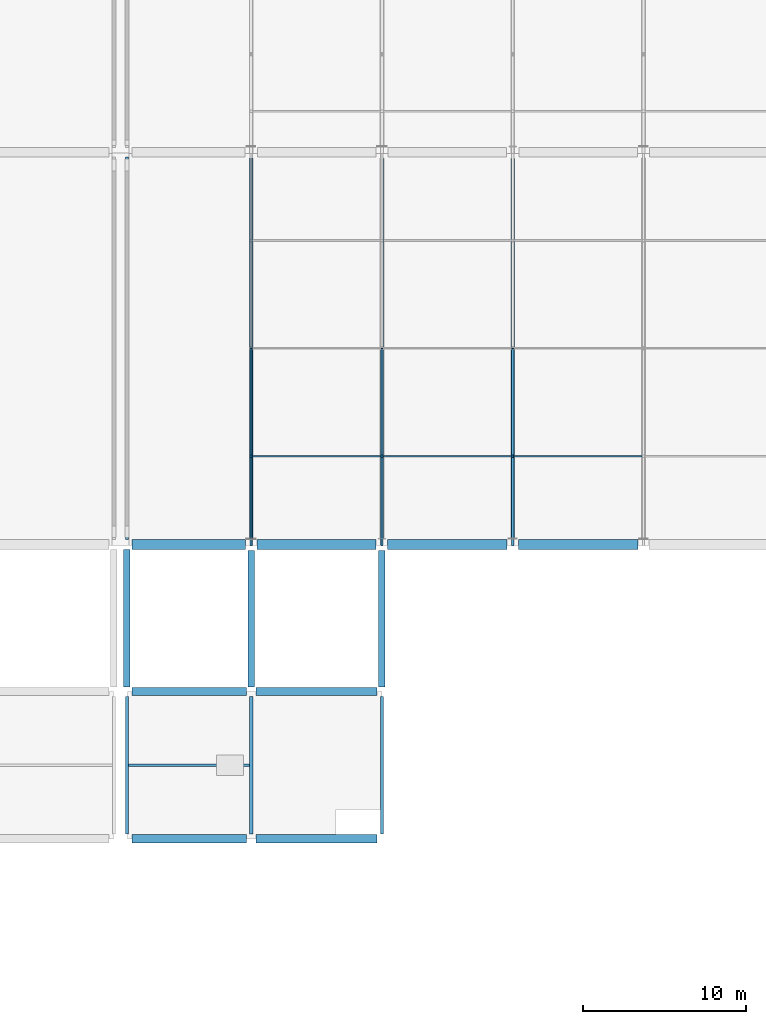
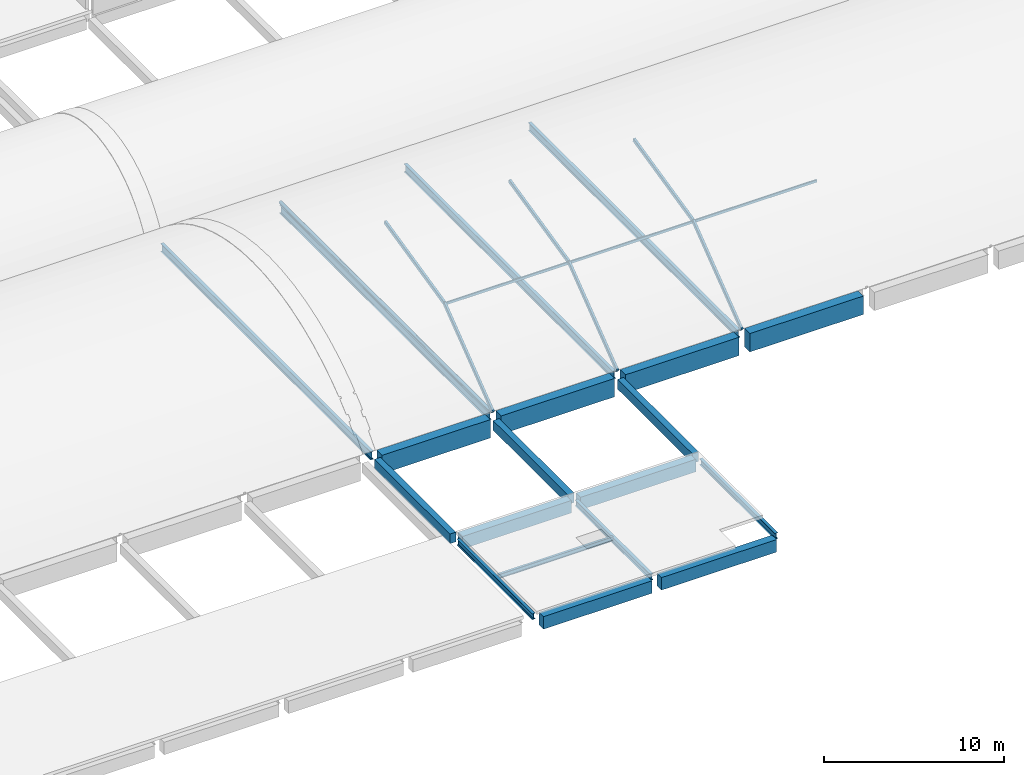
# One storey, part 27 of 57: 19 beams, 10 members.
"""IFC4 building model written with IfcOpenShell, lengths in metres."""

from ifc_helpers import new_model, si_unit, direction, frame, origin, origin_2d, place, context, subcontext, project, spatial, rectangle, hollow_rectangle, hollow_circle, i_section, extrude, material, material_profile, profile_set, type_object, element, save


model = new_model("IFC4")

# Units and contexts
model_context = context("Model", 3, precision=1e-05, world=origin(), true_north=direction((0.0, 1.0)))
body_context = subcontext(model_context, "Body", "Model", "MODEL_VIEW")
ifc_project = project(units=[si_unit("LENGTHUNIT", "METRE"), si_unit("AREAUNIT", "SQUARE_METRE"), si_unit("VOLUMEUNIT", "CUBIC_METRE"), si_unit("PLANEANGLEUNIT", "RADIAN"), si_unit("MASSUNIT", "GRAM", prefix="KILO"), si_unit("THERMODYNAMICTEMPERATUREUNIT", "KELVIN"), si_unit("POWERUNIT", "WATT")], contexts=[model_context])

# Site, building, storey
site_placement = place(None, origin())
site = spatial("IfcSite", under=ifc_project, at=site_placement, CompositionType="ELEMENT")
building_placement = place(site_placement, origin())
building = spatial("IfcBuilding", under=site, at=building_placement, Name="Kronsvod Quay Wholesale Market", CompositionType="ELEMENT")
storey_placement = place(building_placement, frame((0.0, 0.0, 13.199951171875)))
storey = spatial("IfcBuildingStorey", under=building, at=storey_placement, Name="L03", CompositionType="ELEMENT", Elevation=13.199951171875)

# Beams
ifc_material_1 = material(Name="Precast concrete C40/50", Category="concrete")
ifc_material_profile_1 = material_profile(ifc_material_1, rectangle(XDim=0.39990234375, YDim=0.64990234375, at=origin_2d()), Name="PCB400x650")
ifc_profile_set_1 = profile_set([ifc_material_profile_1], Name="Precast concrete C40/50")
beam_type_1 = type_object("IfcBeamType", Name="Beam_PCB400x650", PredefinedType="BEAM", material=ifc_profile_set_1)
beam_1_placement = place(storey_placement, frame((128.39990234375, 45.300048828125, -0.635009765625), z_axis=(0.0, 1.0, 0.0), x_axis=(-1.0, 0.0, 0.0)))
element("IfcBeam", 1, at=beam_1_placement, inside=storey, type_object=beam_type_1, Name="BMY-L03-1284-450", PredefinedType="BEAM", context=body_context, shape_type="SweptSolid", body=[
    extrude(rectangle(XDim=0.39990234375, YDim=0.64990234375, at=origin_2d()), origin(), (0.0, 0.0, 1.0), 8.39990234375),
])
for number, where, z_axis, x_axis, name in (
    (2, (136.0, 45.300048828125, -0.635009765625), (0.0, 1.0, 0.0), (-1.0, 0.0, 0.0), "BMY-L03-1360-450"),
    (3, (144.0, 45.300048828125, -0.635009765625), (0.0, 1.0, 0.0), (-1.0, 0.0, 0.0), "BMY-L03-1440-450"),
):
    element("IfcBeam", number, at=place(storey_placement, frame(where, z_axis=z_axis, x_axis=x_axis)), inside=storey, type_object=beam_type_1, Name=name, PredefinedType="BEAM", context=body_context, shape_type="SweptSolid", body=[
        extrude(rectangle(XDim=0.39990234375, YDim=0.64990234375, at=origin_2d()), origin(), (0.0, 0.0, 1.0), 8.349853515625),
    ])
ifc_material_2 = material(Name="Steel S355", Category="steel")
ifc_material_profile_2 = material_profile(ifc_material_2, i_section(OverallWidth=0.199951171875, OverallDepth=0.39990234375, WebThickness=0.008056640625, FlangeThickness=0.012939453125, FilletRadius=0.01611328125, at=origin_2d()), Name="40B2")
ifc_profile_set_2 = profile_set([ifc_material_profile_2], Name="Steel S355")
beam_type_2 = type_object("IfcBeamType", Name="Beam_Steel40B2", PredefinedType="BEAM", material=ifc_profile_set_2)
for number, where, z_axis, x_axis, name in (
    (4, (128.39990234375, 36.300048828125, -0.510009765625), (0.0, 1.0, 0.0), (-1.0, 0.0, 0.0), "BMY-L03-1284-360"),
    (5, (136.0, 36.300048828125, -0.510009765625), (0.0, 1.0, 0.0), (-1.0, 0.0, 0.0), "BMY-L03-1360-360"),
    (6, (144.0, 36.300048828125, -0.510009765625), (0.0, 1.0, 0.0), (-1.0, 0.0, 0.0), "BMY-L03-1440-360"),
):
    element("IfcBeam", number, at=place(storey_placement, frame(where, z_axis=z_axis, x_axis=x_axis)), inside=storey, type_object=beam_type_2, Name=name, PredefinedType="BEAM", context=body_context, shape_type="SweptSolid", body=[
        extrude(i_section(OverallWidth=0.199951171875, OverallDepth=0.39990234375, WebThickness=0.008056640625, FlangeThickness=0.012939453125, FilletRadius=0.01611328125, at=origin_2d()), origin(), (0.0, 0.0, 1.0), 8.39990234375),
    ])
ifc_material_3 = material(Name="Precast concrete C40/50", Category="concrete")
ifc_material_profile_3 = material_profile(ifc_material_3, rectangle(XDim=0.5, YDim=0.85009765625, at=origin_2d()), Name="PCB500x850")
ifc_profile_set_3 = profile_set([ifc_material_profile_3], Name="Precast concrete C40/50")
beam_type_3 = type_object("IfcBeamType", Name="Girder_PCB500x850", PredefinedType="T_BEAM", material=ifc_profile_set_3)
beam_2_placement = place(storey_placement, frame((128.699951171875, 36.0, -0.73486328125), z_axis=(1.0, 0.0, 0.0), x_axis=(0.0, 1.0, 0.0)))
element("IfcBeam", 7, at=beam_2_placement, inside=storey, type_object=beam_type_3, Name="BMX-L03-1284-360", PredefinedType="T_BEAM", context=body_context, shape_type="SweptSolid", body=[
    extrude(rectangle(XDim=0.5, YDim=0.85009765625, at=origin_2d()), origin(), (0.0, 0.0, 1.0), 7.0),
])
beam_3_placement = place(storey_placement, frame((136.300048828125, 36.0, -0.73486328125), z_axis=(1.0, 0.0, 0.0), x_axis=(0.0, 1.0, 0.0)))
element("IfcBeam", 8, at=beam_3_placement, inside=storey, type_object=beam_type_3, Name="BMX-L03-1360-360", PredefinedType="T_BEAM", context=body_context, shape_type="SweptSolid", body=[
    extrude(rectangle(XDim=0.5, YDim=0.85009765625, at=origin_2d()), origin(), (0.0, 0.0, 1.0), 7.39990234375),
])
beam_4_placement = place(storey_placement, frame((128.699951171875, 45.0, -0.73486328125), z_axis=(1.0, 0.0, 0.0), x_axis=(0.0, 1.0, 0.0)))
element("IfcBeam", 9, at=beam_4_placement, inside=storey, type_object=beam_type_3, Name="BMX-L03-1284-450", PredefinedType="T_BEAM", context=body_context, shape_type="SweptSolid", body=[
    extrude(rectangle(XDim=0.5, YDim=0.85009765625, at=origin_2d()), origin(), (0.0, 0.0, 1.0), 7.0),
])
beam_5_placement = place(storey_placement, frame((136.300048828125, 45.0, -0.73486328125), z_axis=(1.0, 0.0, 0.0), x_axis=(0.0, 1.0, 0.0)))
element("IfcBeam", 10, at=beam_5_placement, inside=storey, type_object=beam_type_3, Name="BMX-L03-1360-450", PredefinedType="T_BEAM", context=body_context, shape_type="SweptSolid", body=[
    extrude(rectangle(XDim=0.5, YDim=0.85009765625, at=origin_2d()), origin(), (0.0, 0.0, 1.0), 7.39990234375),
])
ifc_material_4 = material(Name="Precast concrete C40/50", Category="concrete")
ifc_material_profile_4 = material_profile(ifc_material_4, rectangle(XDim=0.60009765625, YDim=1.25, at=origin_2d()), Name="PCVG600x1250")
ifc_profile_set_4 = profile_set([ifc_material_profile_4], Name="Precast concrete C40/50")
beam_type_4 = type_object("IfcBeamType", Name="Girder_PCVG600x1250", PredefinedType="T_BEAM", material=ifc_profile_set_4)
beam_6_placement = place(storey_placement, frame((128.699951171875, 54.0, -0.844970703125), z_axis=(1.0, 0.0, 0.0), x_axis=(0.0, 1.0, 0.0)))
element("IfcBeam", 11, at=beam_6_placement, inside=storey, type_object=beam_type_4, Name="BMX-L03-1284-540", PredefinedType="T_BEAM", context=body_context, shape_type="SweptSolid", body=[
    extrude(rectangle(XDim=0.60009765625, YDim=1.25, at=origin_2d()), origin(), (0.0, 0.0, 1.0), 6.949951171875),
])
for number, where, z_axis, x_axis, name in (
    (12, (136.35009765625, 54.0, -0.844970703125), (1.0, 0.0, 0.0), (0.0, 1.0, 0.0), "BMX-L03-1360-540"),
    (13, (144.35009765625, 54.0, -0.844970703125), (1.0, 0.0, 0.0), (0.0, 1.0, 0.0), "BMX-L03-1440-540"),
    (14, (152.35009765625, 54.0, -0.844970703125), (1.0, 0.0, 0.0), (0.0, 1.0, 0.0), "BMX-L03-1520-540"),
):
    element("IfcBeam", number, at=place(storey_placement, frame(where, z_axis=z_axis, x_axis=x_axis)), inside=storey, type_object=beam_type_4, Name=name, PredefinedType="T_BEAM", context=body_context, shape_type="SweptSolid", body=[
        extrude(rectangle(XDim=0.60009765625, YDim=1.25, at=origin_2d()), origin(), (0.0, 0.0, 1.0), 7.2998046875),
    ])
ifc_material_5 = material(Name="Steel S355", Category="steel")
ifc_material_profile_5 = material_profile(ifc_material_5, i_section(OverallWidth=0.199951171875, OverallDepth=0.5458984375, WebThickness=0.009521484375, FlangeThickness=0.014892578125, FilletRadius=0.02197265625, at=origin_2d()), Name="55B1")
ifc_profile_set_5 = profile_set([ifc_material_profile_5], Name="Steel S355")
beam_type_5 = type_object("IfcBeamType", Name="Girder_Steel55B1", PredefinedType="T_BEAM", material=ifc_profile_set_5)
beam_7_placement = place(storey_placement, frame((128.39990234375, 54.300048828125, -0.492919921875), z_axis=(0.0, 1.0, 0.0), x_axis=(-1.0, 0.0, 0.0)))
element("IfcBeam", 15, at=beam_7_placement, inside=storey, type_object=beam_type_5, Name="BMY-L03-1284-540", PredefinedType="T_BEAM", context=body_context, shape_type="SweptSolid", body=[
    extrude(i_section(OverallWidth=0.199951171875, OverallDepth=0.5458984375, WebThickness=0.009521484375, FlangeThickness=0.014892578125, FilletRadius=0.02197265625, at=origin_2d()), origin(), (0.0, 0.0, 1.0), 23.39990234375),
])
for number, where, z_axis, x_axis, name in (
    (16, (136.0, 54.35009765625, -0.492919921875), (0.0, 1.0, 0.0), (-1.0, 0.0, 0.0), "BMY-L03-1360-540"),
    (17, (144.0, 54.35009765625, -0.492919921875), (0.0, 1.0, 0.0), (-1.0, 0.0, 0.0), "BMY-L03-1440-540"),
    (18, (152.0, 54.35009765625, -0.492919921875), (0.0, 1.0, 0.0), (-1.0, 0.0, 0.0), "BMY-L03-1520-540"),
):
    element("IfcBeam", number, at=place(storey_placement, frame(where, z_axis=z_axis, x_axis=x_axis)), inside=storey, type_object=beam_type_5, Name=name, PredefinedType="T_BEAM", context=body_context, shape_type="SweptSolid", body=[
        extrude(i_section(OverallWidth=0.199951171875, OverallDepth=0.5458984375, WebThickness=0.009521484375, FlangeThickness=0.014892578125, FilletRadius=0.02197265625, at=origin_2d()), origin(), (0.0, 0.0, 1.0), 23.27490234375),
    ])
ifc_material_6 = material(Name="Steel S355", Category="steel")
ifc_material_profile_6 = material_profile(ifc_material_6, i_section(OverallWidth=0.14990234375, OverallDepth=0.300048828125, WebThickness=0.006591796875, FlangeThickness=0.009033203125, FilletRadius=0.012939453125, at=origin_2d()), Name="30B2")
ifc_profile_set_6 = profile_set([ifc_material_profile_6], Name="Steel S355")
beam_type_6 = type_object("IfcBeamType", Name="Joist_Steel30B2", PredefinedType="JOIST", material=ifc_profile_set_6)
beam_8_placement = place(storey_placement, frame((128.4951171875, 40.5, -0.369873046875), z_axis=(1.0, 0.0, 0.0), x_axis=(0.0, 1.0, 0.0)))
element("IfcBeam", 19, at=beam_8_placement, inside=storey, type_object=beam_type_6, Name="JSTX-L03-1284-360", PredefinedType="JOIST", context=body_context, shape_type="SweptSolid", body=[
    extrude(i_section(OverallWidth=0.14990234375, OverallDepth=0.300048828125, WebThickness=0.006591796875, FlangeThickness=0.009033203125, FilletRadius=0.012939453125, at=origin_2d()), origin(), (0.0, 0.0, 1.0), 7.409912109375),
])

# Members
ifc_material_7 = material(Name="Steel S355", Category="steel")
ifc_material_profile_7 = material_profile(ifc_material_7, hollow_rectangle(XDim=0.14990234375, YDim=0.25, WallThickness=0.010009765625, InnerFilletRadius=0.010009765625, OuterFilletRadius=0.02001953125, at=origin_2d()), Name="RHS250x150x10")
ifc_profile_set_7 = profile_set([ifc_material_profile_7], Name="Steel S355")
member_type_1 = type_object("IfcMemberType", Name="Member_Arch250x150", PredefinedType="RAFTER", material=ifc_profile_set_7)
member_1_placement = place(storey_placement, frame((136.0, 54.0, -0.010009765625), z_axis=(0.0, 0.79391386882, 0.608030236827), x_axis=(-1.0, 0.0, 0.0)))
element("IfcMember", 20, at=member_1_placement, inside=storey, type_object=member_type_1, Name="ARCG-SH-V2E-M-1360-0", PredefinedType="RAFTER", context=body_context, shape_type="SweptSolid", body=[
    extrude(hollow_rectangle(XDim=0.14990234375, YDim=0.25, WallThickness=0.010009765625, InnerFilletRadius=0.010009765625, OuterFilletRadius=0.02001953125, at=origin_2d()), origin(), (0.0, 0.0, 1.0), 6.80859375),
])
member_2_placement = place(storey_placement, frame((136.0, 59.405517578125, 4.1298828125), z_axis=(0.0, 0.974763902227, 0.223238291777), x_axis=(-1.0, 0.0, 0.0)))
element("IfcMember", 21, at=member_2_placement, inside=storey, type_object=member_type_1, Name="ARCG-SH-V2E-M-1360-1", PredefinedType="RAFTER", context=body_context, shape_type="SweptSolid", body=[
    extrude(hollow_rectangle(XDim=0.14990234375, YDim=0.25, WallThickness=0.010009765625, InnerFilletRadius=0.010009765625, OuterFilletRadius=0.02001953125, at=origin_2d()), origin(), (0.0, 0.0, 1.0), 6.76513671875),
])
member_3_placement = place(storey_placement, frame((144.0, 54.0, -0.010009765625), z_axis=(0.0, 0.79391386882, 0.608030236827), x_axis=(-1.0, 0.0, 0.0)))
element("IfcMember", 22, at=member_3_placement, inside=storey, type_object=member_type_1, Name="ARCG-SH-V2E-M-1440-0", PredefinedType="RAFTER", context=body_context, shape_type="SweptSolid", body=[
    extrude(hollow_rectangle(XDim=0.14990234375, YDim=0.25, WallThickness=0.010009765625, InnerFilletRadius=0.010009765625, OuterFilletRadius=0.02001953125, at=origin_2d()), origin(), (0.0, 0.0, 1.0), 6.80859375),
])
member_4_placement = place(storey_placement, frame((144.0, 59.405517578125, 4.1298828125), z_axis=(0.0, 0.974763902227, 0.223238291777), x_axis=(-1.0, 0.0, 0.0)))
element("IfcMember", 23, at=member_4_placement, inside=storey, type_object=member_type_1, Name="ARCG-SH-V2E-M-1440-1", PredefinedType="RAFTER", context=body_context, shape_type="SweptSolid", body=[
    extrude(hollow_rectangle(XDim=0.14990234375, YDim=0.25, WallThickness=0.010009765625, InnerFilletRadius=0.010009765625, OuterFilletRadius=0.02001953125, at=origin_2d()), origin(), (0.0, 0.0, 1.0), 6.76513671875),
])
member_5_placement = place(storey_placement, frame((152.0, 54.0, -0.010009765625), z_axis=(0.0, 0.79391386882, 0.608030236827), x_axis=(-1.0, 0.0, 0.0)))
element("IfcMember", 24, at=member_5_placement, inside=storey, type_object=member_type_1, Name="ARCG-SH-V2E-M-1520-0", PredefinedType="RAFTER", context=body_context, shape_type="SweptSolid", body=[
    extrude(hollow_rectangle(XDim=0.14990234375, YDim=0.25, WallThickness=0.010009765625, InnerFilletRadius=0.010009765625, OuterFilletRadius=0.02001953125, at=origin_2d()), origin(), (0.0, 0.0, 1.0), 6.80859375),
])
member_6_placement = place(storey_placement, frame((152.0, 59.405517578125, 4.1298828125), z_axis=(0.0, 0.974763902227, 0.223238291777), x_axis=(-1.0, 0.0, 0.0)))
element("IfcMember", 25, at=member_6_placement, inside=storey, type_object=member_type_1, Name="ARCG-SH-V2E-M-1520-1", PredefinedType="RAFTER", context=body_context, shape_type="SweptSolid", body=[
    extrude(hollow_rectangle(XDim=0.14990234375, YDim=0.25, WallThickness=0.010009765625, InnerFilletRadius=0.010009765625, OuterFilletRadius=0.02001953125, at=origin_2d()), origin(), (0.0, 0.0, 1.0), 6.76513671875),
])
ifc_material_8 = material(Name="Steel S355", Category="steel")
ifc_material_profile_8 = material_profile(ifc_material_8, hollow_circle(Radius=0.109619140625, WallThickness=0.010009765625, at=origin_2d()), Name="CHS219x10")
ifc_profile_set_8 = profile_set([ifc_material_profile_8], Name="Steel S355")
member_type_2 = type_object("IfcMemberType", Name="Member_Chord219x10", PredefinedType="CHORD", material=ifc_profile_set_8)
member_7_placement = place(storey_placement, frame((136.0, 54.340087890625, -0.079833984375), z_axis=(0.0, 1.0, 0.0), x_axis=(-1.0, 0.0, 0.0)))
element("IfcMember", 26, at=member_7_placement, inside=storey, type_object=member_type_2, Name="CHDG-SH-V2E-M-1360", PredefinedType="CHORD", context=body_context, shape_type="SweptSolid", body=[
    extrude(hollow_circle(Radius=0.109619140625, WallThickness=0.010009765625, at=origin_2d()), origin(), (0.0, 0.0, 1.0), 23.31982421875),
])
ifc_material_9 = material(Name="Steel S355", Category="steel")
ifc_material_profile_9 = material_profile(ifc_material_9, hollow_rectangle(XDim=0.10009765625, YDim=0.179931640625, WallThickness=0.008056640625, InnerFilletRadius=0.008056640625, OuterFilletRadius=0.01611328125, at=origin_2d()), Name="RHS180x100x8")
ifc_profile_set_9 = profile_set([ifc_material_profile_9], Name="Steel S355")
member_type_3 = type_object("IfcMemberType", Name="Member_Purlin180x100", PredefinedType="PURLIN", material=ifc_profile_set_9)
for number, where, z_axis, x_axis, name in (
    (27, (136.080078125, 59.405517578125, 4.070068359375), (1.0, 0.0, 0.0), (0.0, 1.0, 0.0), "PRLG-SH-V2E-M-0-0"),
    (28, (144.080078125, 59.405517578125, 4.070068359375), (1.0, 0.0, 0.0), (0.0, 1.0, 0.0), "PRLG-SH-V2E-M-1-0"),
    (29, (152.080078125, 59.405517578125, 4.070068359375), (1.0, 0.0, 0.0), (0.0, 1.0, 0.0), "PRLG-SH-V2E-M-2-0"),
):
    element("IfcMember", number, at=place(storey_placement, frame(where, z_axis=z_axis, x_axis=x_axis)), inside=storey, type_object=member_type_3, Name=name, PredefinedType="PURLIN", context=body_context, shape_type="SweptSolid", body=[
        extrude(hollow_rectangle(XDim=0.10009765625, YDim=0.179931640625, WallThickness=0.008056640625, InnerFilletRadius=0.008056640625, OuterFilletRadius=0.01611328125, at=origin_2d()), origin(), (0.0, 0.0, 1.0), 7.83984375),
    ])

save(model, "model.ifc")
